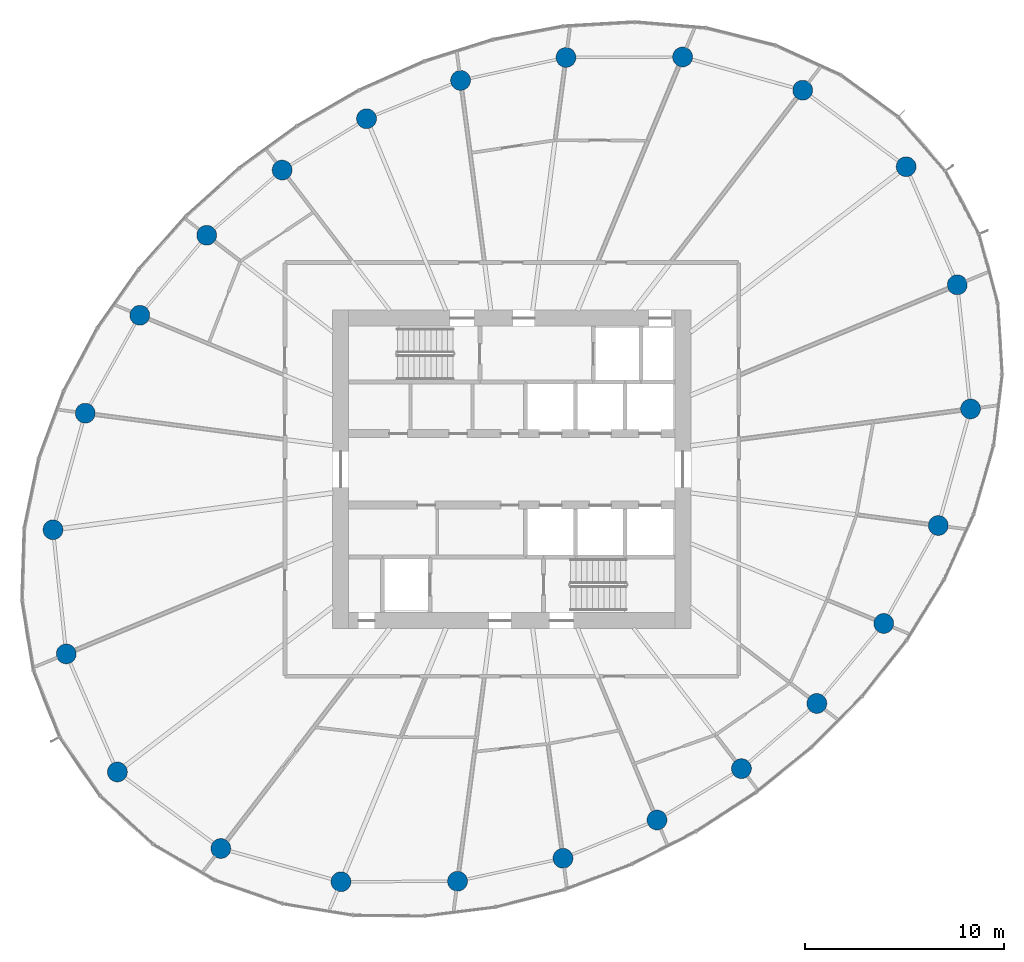
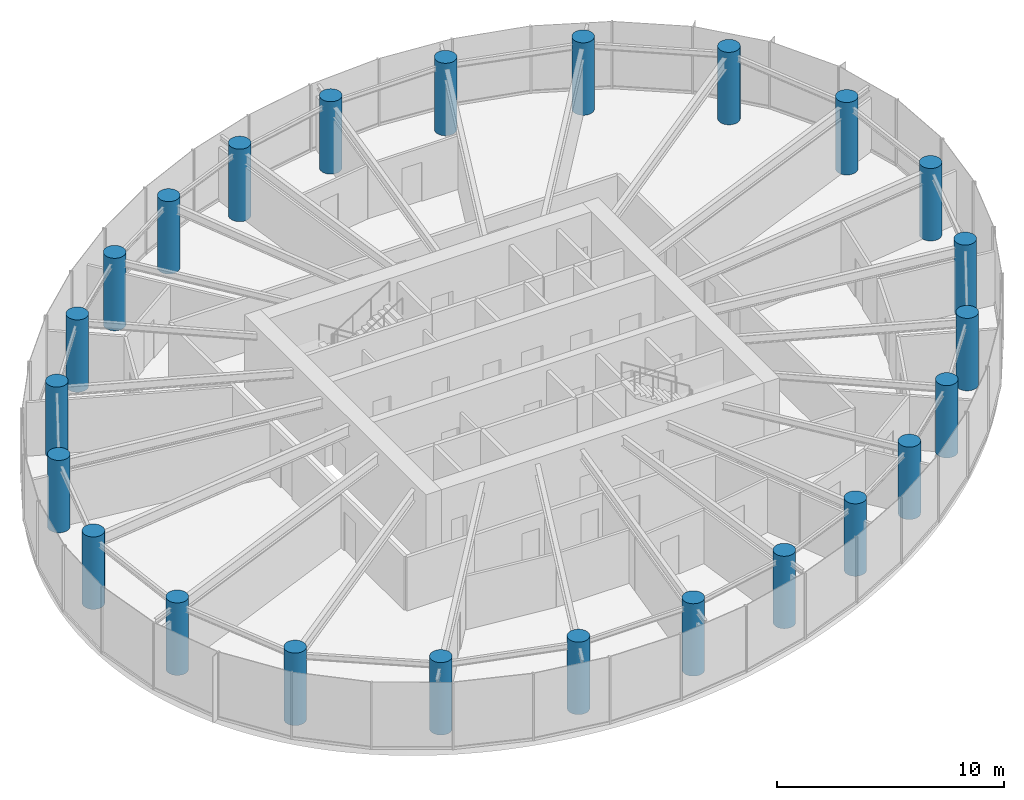
# One storey, part 1 of 14: 24 columns.
"""IFC4 building model written with IfcOpenShell, lengths in metres."""

from ifc_helpers import new_model, si_unit, direction, frame, origin, origin_2d, place, context, subcontext, project, spatial, circle, extrude, source, transform, mapped, material, material_profile, profile_set, type_object, element, save


model = new_model("IFC4")

# Units and contexts
model_context = context("Model", 3, precision=1e-05, world=origin(), true_north=direction((0.0, 1.0)))
body_context = subcontext(model_context, "Body", "Model", "MODEL_VIEW")
ifc_project = project(units=[si_unit("LENGTHUNIT", "METRE"), si_unit("AREAUNIT", "SQUARE_METRE"), si_unit("VOLUMEUNIT", "CUBIC_METRE"), si_unit("PLANEANGLEUNIT", "RADIAN"), si_unit("MASSUNIT", "GRAM", prefix="KILO")], contexts=[model_context])

# Site, building, storey
site_placement = place(None, origin())
site = spatial("IfcSite", under=ifc_project, at=site_placement, CompositionType="ELEMENT")
building_placement = place(site_placement, origin())
building = spatial("IfcBuilding", under=site, at=building_placement, Name="Spindrift Exchange Tower", CompositionType="ELEMENT")
storey_placement = place(building_placement, frame((0.0, 0.0, 148.699951171875)))
storey = spatial("IfcBuildingStorey", under=building, at=storey_placement, Name="L35", CompositionType="ELEMENT", Elevation=148.699951171875)

# Columns
ifc_material = material(Name="Concrete 50 MPa", Category="concrete")
ifc_material_profile = material_profile(ifc_material, circle(Radius=0.5, at=origin_2d()), Name="RC D1000")
ifc_profile_set = profile_set([ifc_material_profile], Name="Concrete 50 MPa")
column_type = type_object("IfcColumnType", Name="RC Perimeter Column D1000 Concrete 50 MPa", PredefinedType="COLUMN", material=ifc_profile_set)
shared_shape = source(origin(), body_context, "Body", "SweptSolid", [
    extrude(circle(Radius=0.5, at=origin_2d()), origin(), (0.0, 0.0, 1.0), 3.900146484375),
])
for number, where, z_axis, x_axis, name in (
    (1, (75.06201171875, 51.0361328125, 0.0), (0.0, 0.0, 1.0), (1.0, 0.0, 0.0), "Perimeter column P3-01 L35"),
    (2, (74.396728515625, 57.277099609375, 0.0), (0.0, 0.0, 1.0), (1.0, 0.0, 0.0), "Perimeter column P3-02 L35"),
    (3, (71.825927734375, 63.212890625, 0.0), (0.0, 0.0, 1.0), (1.0, 0.0, 0.0), "Perimeter column P3-03 L35"),
    (4, (66.625, 67.0595703125, 0.0), (0.0, 0.0, 1.0), (1.0, 0.0, 0.0), "Perimeter column P3-04 L35"),
    (5, (60.5869140625, 68.73095703125, 0.0), (0.0, 0.0, 1.0), (1.0, 0.0, 0.0), "Perimeter column P3-05 L35"),
    (6, (54.725830078125, 68.705322265625, 0.0), (0.0, 0.0, 1.0), (1.0, 0.0, 0.0), "Perimeter column P3-06 L35"),
    (7, (49.426025390625, 67.55126953125, 0.0), (0.0, 0.0, 1.0), (1.0, 0.0, 0.0), "Perimeter column P3-07 L35"),
    (8, (44.69921875, 65.625732421875, 0.0), (0.0, 0.0, 1.0), (1.0, 0.0, 0.0), "Perimeter column P3-08 L35"),
    (9, (40.4560546875, 63.04443359375, 0.0), (0.0, 0.0, 1.0), (1.0, 0.0, 0.0), "Perimeter column P3-09 L35"),
    (10, (36.663818359375, 59.76806640625, 0.0), (0.0, 0.0, 1.0), (1.0, 0.0, 0.0), "Perimeter column P3-10 L35"),
    (11, (33.30078125, 55.74560546875, 0.0), (0.0, 0.0, 1.0), (1.0, 0.0, 0.0), "Perimeter column P3-11 L35"),
    (12, (30.55908203125, 50.82275390625, 0.0), (0.0, 0.0, 1.0), (1.0, 0.0, 0.0), "Perimeter column P3-12 L35"),
    (13, (28.93798828125, 44.9638671875, 0.0), (0.0, 0.0, 1.0), (1.0, 0.0, 0.0), "Perimeter column P3-13 L35"),
    (14, (29.603271484375, 38.722900390625, 0.0), (0.0, 0.0, 1.0), (1.0, 0.0, 0.0), "Perimeter column P3-14 L35"),
    (15, (32.174072265625, 32.787109375, 0.0), (0.0, 0.0, 1.0), (1.0, 0.0, 0.0), "Perimeter column P3-15 L35"),
    (16, (37.375, 28.9404296875, 0.0), (0.0, 0.0, 1.0), (1.0, 0.0, 0.0), "Perimeter column P3-16 L35"),
    (17, (43.4130859375, 27.26904296875, 0.0), (0.0, 0.0, 1.0), (1.0, 0.0, 0.0), "Perimeter column P3-17 L35"),
    (18, (49.274169921875, 27.294677734375, 0.0), (0.0, 0.0, 1.0), (1.0, 0.0, 0.0), "Perimeter column P3-18 L35"),
    (19, (54.573974609375, 28.44873046875, 0.0), (0.0, 0.0, 1.0), (1.0, 0.0, 0.0), "Perimeter column P3-19 L35"),
    (20, (59.30078125, 30.374267578125, 0.0), (0.0, 0.0, 1.0), (1.0, 0.0, 0.0), "Perimeter column P3-20 L35"),
    (21, (63.5439453125, 32.95556640625, 0.0), (0.0, 0.0, 1.0), (1.0, 0.0, 0.0), "Perimeter column P3-21 L35"),
    (22, (67.336181640625, 36.23193359375, 0.0), (0.0, 0.0, 1.0), (1.0, 0.0, 0.0), "Perimeter column P3-22 L35"),
    (23, (70.69921875, 40.25439453125, 0.0), (0.0, 0.0, 1.0), (1.0, 0.0, 0.0), "Perimeter column P3-23 L35"),
    (24, (73.44091796875, 45.17724609375, 0.0), (0.0, 0.0, 1.0), (1.0, 0.0, 0.0), "Perimeter column P3-24 L35"),
):
    element("IfcColumn", number, at=place(storey_placement, frame(where, z_axis=z_axis, x_axis=x_axis)), inside=storey, type_object=column_type, Name=name, PredefinedType="COLUMN", context=body_context, shape_type="MappedRepresentation", body=[
        mapped(shared_shape, transform((0.0, 0.0, 0.0), scale=1.0)),
    ])

save(model, "model.ifc")
